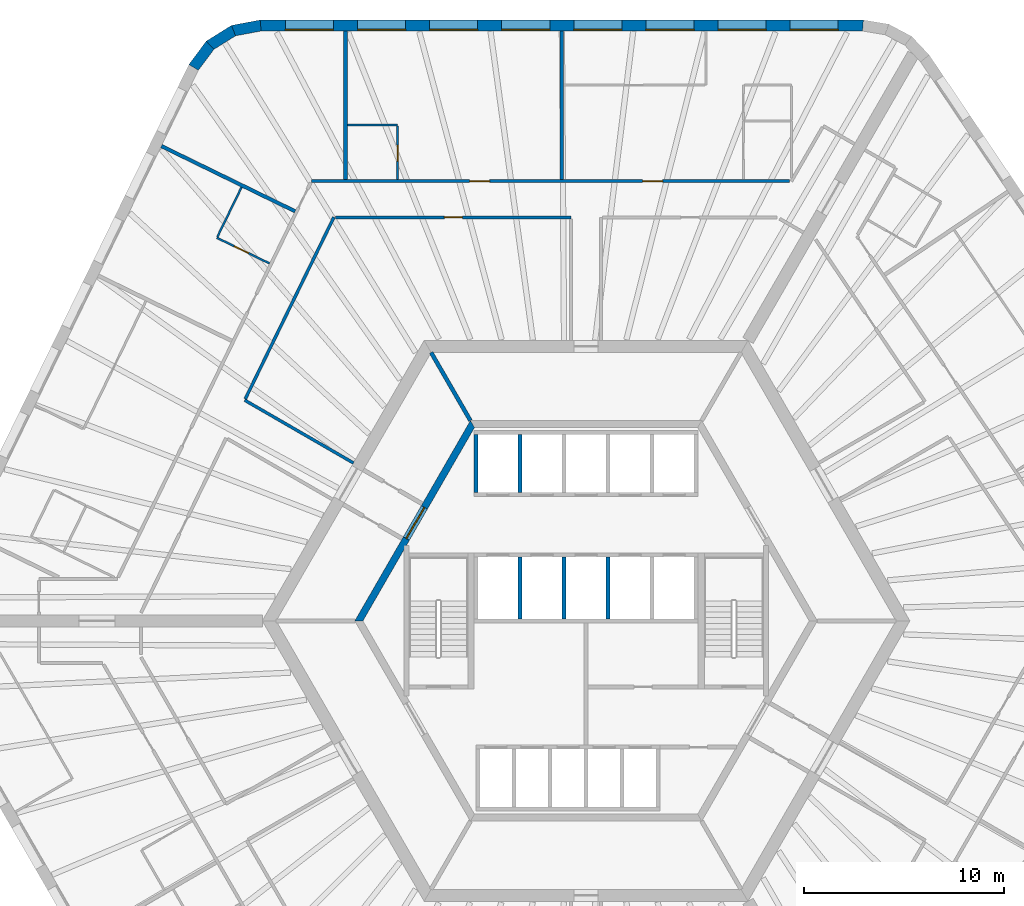
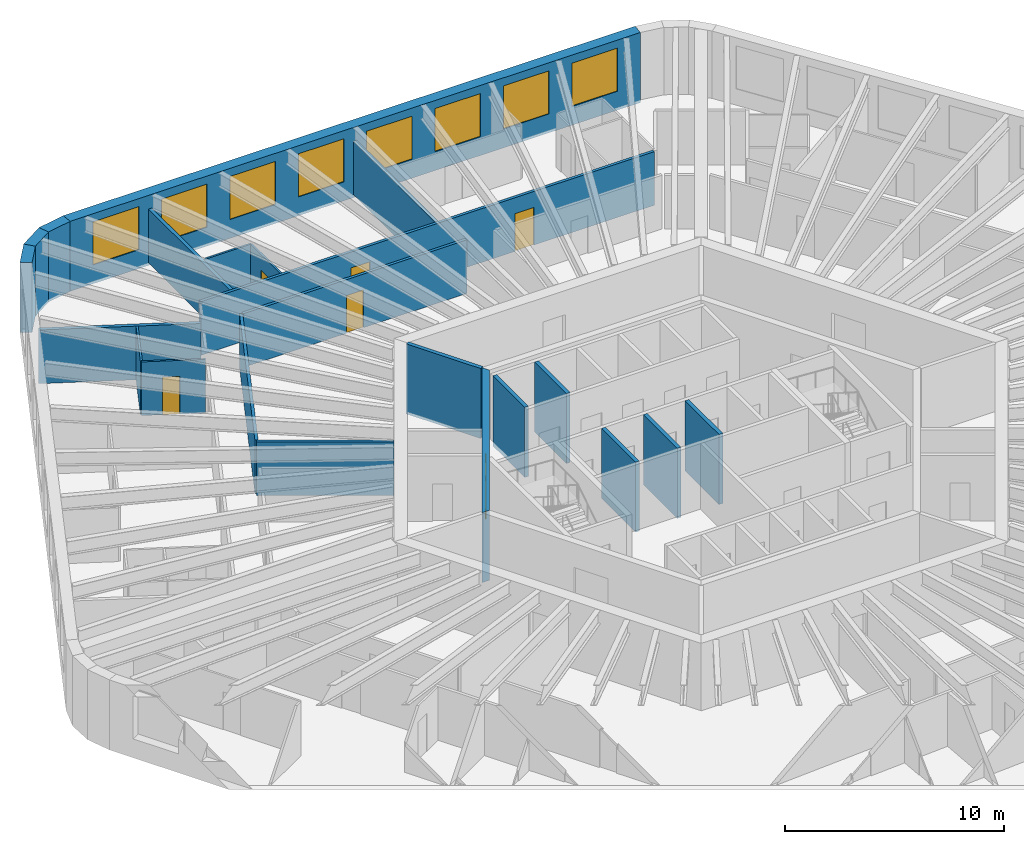
# One storey, part 8 of 12: 22 walls, 8 windows, 6 doors, 14 openings.
"""IFC4 building model written with IfcOpenShell, lengths in metres."""

from ifc_helpers import new_model, si_unit, direction, frame, frame_2d, origin, place, context, subcontext, project, spatial, polyline, rectangle, outline, extrude, material, layer, layer_set, type_object, element, fill, save


model = new_model("IFC4")

# Units and contexts
model_context = context("Model", 3, precision=1e-05, world=origin(), true_north=direction((0.0, 1.0)))
body_context = subcontext(model_context, "Body", "Model", "MODEL_VIEW")
ifc_project = project(units=[si_unit("LENGTHUNIT", "METRE"), si_unit("AREAUNIT", "SQUARE_METRE"), si_unit("VOLUMEUNIT", "CUBIC_METRE"), si_unit("PLANEANGLEUNIT", "RADIAN"), si_unit("MASSUNIT", "GRAM", prefix="KILO")], contexts=[model_context])

# Site, building, storey
site_placement = place(None, origin())
site = spatial("IfcSite", under=ifc_project, at=site_placement, CompositionType="ELEMENT")
building_placement = place(site_placement, origin())
building = spatial("IfcBuilding", under=site, at=building_placement, Name="Tarnside Tower", CompositionType="ELEMENT")
storey_placement = place(building_placement, frame((0.0, 0.0, 72.60009765625)))
storey = spatial("IfcBuildingStorey", under=building, at=storey_placement, Name="L15", CompositionType="ELEMENT", Elevation=72.60009765625)

# Wall
ifc_material_1 = material(Name="Gypsum board partition on steel studs", Category="steel")
ifc_layer_1 = layer(ifc_material_1, 0.10009765625)
ifc_layer_set_1 = layer_set([ifc_layer_1], Name="Bathroom wall 100")
wall_type_1 = type_object("IfcWallType", Name="Bathroom wall 100", PredefinedType="PARTITIONING", material=ifc_layer_set_1)
wall_1_placement = place(storey_placement, frame((-11.921142578125, 24.75, 0.0), z_axis=(0.0, 0.0, 1.0), x_axis=(1.0, 0.0, 0.0)))
element("IfcWall", 1, at=wall_1_placement, inside=storey, type_object=wall_type_1, Name="Bathroom wall 04086", PredefinedType="PARTITIONING", context=body_context, shape_type="SweptSolid", body=[
    extrude(rectangle(XDim=2.510009765625, YDim=0.10009765625, at=frame_2d((1.2548828125, 0.0))), origin(), (0.0, 0.0, 1.0), 2.98779296875),
])

# Wall, opening, door
wall_2_placement = place(storey_placement, frame((-9.4111328125, 24.699951171875, 0.0), z_axis=(0.0, 0.0, 1.0), x_axis=(0.0, -1.0, 0.0)))
wall_2 = element("IfcWall", 2, at=wall_2_placement, inside=storey, type_object=wall_type_1, Name="Bathroom wall 04087", PredefinedType="PARTITIONING", context=body_context, shape_type="SweptSolid", body=[
    extrude(rectangle(XDim=2.675048828125, YDim=0.10009765625, at=frame_2d((1.33740234375, 0.0))), origin(), (0.0, 0.0, 1.0), 2.98779296875),
])
opening_1_placement = place(wall_2_placement, frame((0.949951171875, 0.0, 0.0)))
opening_1 = element("IfcOpeningElement", 3, at=opening_1_placement, cuts=wall_2, Name="Opening D-B1", PredefinedType="OPENING", context=body_context, shape_type="SweptSolid", body=[
    extrude(rectangle(XDim=0.800048828125, YDim=2.10009765625, at=frame_2d((0.39990234375, 1.050048828125))), frame((0.0, 0.06005859375, 0.0), z_axis=(0.0, -1.0, 0.0), x_axis=(1.0, 0.0, 0.0)), (0.0, 0.0, 1.0), 0.1201171875),
])
ifc_material_2 = material(Name="Timber door leaf", Category="wood")
door_type_1 = type_object("IfcDoorType", Name="Bathroom door 800", OperationType="NOTDEFINED", PredefinedType="DOOR", material=ifc_material_2)
door_1_placement = place(opening_1_placement, origin())
door_1 = element("IfcDoor", 4, at=door_1_placement, inside=storey, type_object=door_type_1, Name="Bathroom door 04006", OperationType="SINGLE_SWING_LEFT", OverallHeight=2.10009765625, OverallWidth=0.800048828125, PredefinedType="DOOR", context=body_context, shape_type="SweptSolid", body=[
    extrude(rectangle(XDim=0.800048828125, YDim=2.10009765625, at=frame_2d((0.39990234375, 1.050048828125))), frame((0.0, 0.02490234375, 0.0), z_axis=(0.0, -1.0, 0.0), x_axis=(1.0, 0.0, 0.0)), (0.0, 0.0, 1.0), 0.050048828125),
])
fill(opening_1, door_1)

wall_3_placement = place(storey_placement, frame((-15.802001953125, 17.84423828125, 0.0), z_axis=(0.0, 0.0, 1.0), x_axis=(-0.898790906006, 0.438377585285, 0.0)))
wall_3 = element("IfcWall", 5, at=wall_3_placement, inside=storey, type_object=wall_type_1, Name="Bathroom wall 04092", PredefinedType="PARTITIONING", context=body_context, shape_type="SweptSolid", body=[
    extrude(rectangle(XDim=2.925048828125, YDim=0.10009765625, at=frame_2d((1.46240234375, 0.0))), origin(), (0.0, 0.0, 1.0), 2.98779296875),
])
opening_2_placement = place(wall_3_placement, frame((1.175048828125, 0.0, 0.0)))
opening_2 = element("IfcOpeningElement", 6, at=opening_2_placement, cuts=wall_3, Name="Opening D-B1", PredefinedType="OPENING", context=body_context, shape_type="SweptSolid", body=[
    extrude(rectangle(XDim=0.800048828125, YDim=2.10009765625, at=frame_2d((0.39990234375, 1.050048828125))), frame((0.0, 0.06005859375, 0.0), z_axis=(0.0, -1.0, 0.0), x_axis=(1.0, 0.0, 0.0)), (0.0, 0.0, 1.0), 0.1201171875),
])
door_2_placement = place(opening_2_placement, origin())
door_2 = element("IfcDoor", 7, at=door_2_placement, inside=storey, type_object=door_type_1, Name="Bathroom door 04009", OperationType="SINGLE_SWING_LEFT", OverallHeight=2.10009765625, OverallWidth=0.800048828125, PredefinedType="DOOR", context=body_context, shape_type="SweptSolid", body=[
    extrude(rectangle(XDim=0.800048828125, YDim=2.10009765625, at=frame_2d((0.39990234375, 1.050048828125))), frame((0.0, 0.02490234375, 0.0), z_axis=(0.0, -1.0, 0.0), x_axis=(1.0, 0.0, 0.0)), (0.0, 0.0, 1.0), 0.050048828125),
])
fill(opening_2, door_2)

# Wall
wall_4_placement = place(storey_placement, frame((-18.408935546875, 19.17138671875, 0.0), z_axis=(0.0, 0.0, 1.0), x_axis=(0.438416660488, 0.898771846359, 0.0)))
element("IfcWall", 8, at=wall_4_placement, inside=storey, type_object=wall_type_1, Name="Bathroom wall 04093", PredefinedType="PARTITIONING", context=body_context, shape_type="SweptSolid", body=[
    extrude(rectangle(XDim=2.759765625, YDim=0.10009765625, at=frame_2d((1.3798828125, 0.0))), origin(), (0.0, 0.0, 1.0), 2.98779296875),
])

# Wall, opening, door
ifc_material_3 = material(Name="Concrete C50/60", Category="concrete")
ifc_layer_2 = layer(ifc_material_3, 0.35009765625)
ifc_layer_set_2 = layer_set([ifc_layer_2], Name="Core block wall 350 C50/60")
wall_type_2 = type_object("IfcWallType", Name="Core block wall 350 C50/60", PredefinedType="SHEAR", material=ifc_layer_set_2)
wall_5_placement = place(storey_placement, frame((-5.672607421875, 9.824951171875, -0.150146484375), z_axis=(0.0, 0.0, 1.0), x_axis=(-0.499995046907, -0.866028263435, 0.0)))
wall_5 = element("IfcWall", 9, at=wall_5_placement, inside=storey, type_object=wall_type_2, Name="L15 core block wall face 2", PredefinedType="SHEAR", context=body_context, shape_type="SweptSolid", body=[
    extrude(outline(polyline([(-0.10107421875, -0.175048828125), (11.44580078125, -0.175048828125), (11.24365234375, 0.175048828125), (0.10107421875, 0.175048828125), (-0.10107421875, -0.175048828125)])), origin(), (0.0, 0.0, 1.0), 3.900146484375),
])
opening_3_placement = place(wall_5_placement, frame((4.80126953125, 0.0, 0.14990234375)))
opening_3 = element("IfcOpeningElement", 10, at=opening_3_placement, cuts=wall_5, Name="Opening CD-LOB", PredefinedType="OPENING", context=body_context, shape_type="SweptSolid", body=[
    extrude(rectangle(XDim=1.800048828125, YDim=2.39990234375, at=frame_2d((0.89990234375, 1.199951171875))), frame((0.0, 0.18505859375, 0.0), z_axis=(0.0, -1.0, 0.0), x_axis=(1.0, 0.0, 0.0)), (0.0, 0.0, 1.0), 0.3701171875),
])
ifc_material_4 = material(Name="Steel fire door", Category="steel")
door_type_2 = type_object("IfcDoorType", Name="Lobby double door FD30S 1800x2400", OperationType="NOTDEFINED", PredefinedType="DOOR", material=ifc_material_4)
door_3_placement = place(opening_3_placement, origin())
door_3 = element("IfcDoor", 11, at=door_3_placement, inside=storey, type_object=door_type_2, Name="L15 lobby block door P1", OperationType="DOUBLE_DOOR_SINGLE_SWING", OverallHeight=2.39990234375, OverallWidth=1.800048828125, PredefinedType="DOOR", context=body_context, shape_type="SweptSolid", body=[
    extrude(rectangle(XDim=1.800048828125, YDim=2.39990234375, at=frame_2d((0.89990234375, 1.199951171875))), frame((0.0, 0.02490234375, 0.0), z_axis=(0.0, -1.0, 0.0), x_axis=(1.0, 0.0, 0.0)), (0.0, 0.0, 1.0), 0.050048828125),
])
fill(opening_3, door_3)

# Wall, openings, doors
ifc_layer_3 = layer(ifc_material_1, 0.14990234375)
ifc_layer_set_3 = layer_set([ifc_layer_3], Name="Corridor wall 150 EI 60")
wall_type_3 = type_object("IfcWallType", Name="Corridor wall 150 EI 60", PredefinedType="PARTITIONING", material=ifc_layer_set_3)
wall_6_placement = place(storey_placement, frame((10.161376953125, 21.949951171875, 0.0), z_axis=(0.0, 0.0, 1.0), x_axis=(-1.0, 0.0, 0.0)))
wall_6 = element("IfcWall", 12, at=wall_6_placement, inside=storey, type_object=wall_type_3, Name="Corridor wall 04001", PredefinedType="PARTITIONING", context=body_context, shape_type="SweptSolid", body=[
    extrude(rectangle(XDim=23.877197265625, YDim=0.14990234375, at=frame_2d((11.9384765625, 0.0))), origin(), (0.0, 0.0, 1.0), 2.98779296875),
])
opening_4_placement = place(wall_6_placement, frame((6.343017578125, 0.0, 0.0)))
opening_4 = element("IfcOpeningElement", 13, at=opening_4_placement, cuts=wall_6, Name="Opening D-E1", PredefinedType="OPENING", context=body_context, shape_type="SweptSolid", body=[
    extrude(rectangle(XDim=1.0, YDim=2.10009765625, at=frame_2d((0.5, 1.050048828125))), frame((0.0, 0.0849609375, 0.0), z_axis=(0.0, -1.0, 0.0), x_axis=(1.0, 0.0, 0.0)), (0.0, 0.0, 1.0), 0.169921875),
])
opening_5_placement = place(wall_6_placement, frame((14.972412109375, 0.0, 0.0)))
opening_5 = element("IfcOpeningElement", 14, at=opening_5_placement, cuts=wall_6, Name="Opening D-E1", PredefinedType="OPENING", context=body_context, shape_type="SweptSolid", body=[
    extrude(rectangle(XDim=1.0, YDim=2.10009765625, at=frame_2d((0.5, 1.050048828125))), frame((0.0, 0.0849609375, 0.0), z_axis=(0.0, -1.0, 0.0), x_axis=(1.0, 0.0, 0.0)), (0.0, 0.0, 1.0), 0.169921875),
])
door_type_3 = type_object("IfcDoorType", Name="Unit entrance door 1000 FD30S", OperationType="NOTDEFINED", PredefinedType="DOOR", material=ifc_material_2)
door_4_placement = place(opening_4_placement, origin())
door_4 = element("IfcDoor", 15, at=door_4_placement, inside=storey, type_object=door_type_3, Name="Unit door 04001", OperationType="SINGLE_SWING_LEFT", OverallHeight=2.10009765625, OverallWidth=1.0, PredefinedType="DOOR", context=body_context, shape_type="SweptSolid", body=[
    extrude(rectangle(XDim=1.0, YDim=2.10009765625, at=frame_2d((0.5, 1.050048828125))), frame((0.0, 0.02490234375, 0.0), z_axis=(0.0, -1.0, 0.0), x_axis=(1.0, 0.0, 0.0)), (0.0, 0.0, 1.0), 0.050048828125),
])
fill(opening_4, door_4)
door_5_placement = place(opening_5_placement, origin())
door_5 = element("IfcDoor", 16, at=door_5_placement, inside=storey, type_object=door_type_3, Name="Unit door 04005", OperationType="SINGLE_SWING_RIGHT", OverallHeight=2.10009765625, OverallWidth=1.0, PredefinedType="DOOR", context=body_context, shape_type="SweptSolid", body=[
    extrude(rectangle(XDim=1.0, YDim=2.10009765625, at=frame_2d((0.5, 1.050048828125))), frame((0.0, 0.02490234375, 0.0), z_axis=(0.0, -1.0, 0.0), x_axis=(1.0, 0.0, 0.0)), (0.0, 0.0, 1.0), 0.050048828125),
])
fill(opening_5, door_5)

# Walls
wall_7_placement = place(storey_placement, frame((-11.61376953125, 7.88427734375, 0.0), z_axis=(0.0, 0.0, 1.0), x_axis=(-0.866025438137, 0.4999999405, 0.0)))
element("IfcWall", 17, at=wall_7_placement, inside=storey, type_object=wall_type_3, Name="Corridor wall 04016", PredefinedType="PARTITIONING", context=body_context, shape_type="SweptSolid", body=[
    extrude(rectangle(XDim=6.2705078125, YDim=0.14990234375, at=frame_2d((3.13525390625, 0.0))), origin(), (0.0, 0.0, 1.0), 2.98779296875),
])
wall_8_placement = place(storey_placement, frame((-17.01123046875, 11.087158203125, 0.0), z_axis=(0.0, 0.0, 1.0), x_axis=(0.43836877185, 0.898795204631, 0.0)))
element("IfcWall", 18, at=wall_8_placement, inside=storey, type_object=wall_type_3, Name="Corridor wall 04017", PredefinedType="PARTITIONING", context=body_context, shape_type="SweptSolid", body=[
    extrude(rectangle(XDim=10.083251953125, YDim=0.14990234375, at=frame_2d((5.04150390625, 0.0))), origin(), (0.0, 0.0, 1.0), 2.98779296875),
])

# Wall, opening, door
wall_9_placement = place(storey_placement, frame((-12.507568359375, 20.14990234375, 0.0), z_axis=(0.0, 0.0, 1.0), x_axis=(1.0, 0.0, 0.0)))
wall_9 = element("IfcWall", 19, at=wall_9_placement, inside=storey, type_object=wall_type_3, Name="Corridor wall 04018", PredefinedType="PARTITIONING", context=body_context, shape_type="SweptSolid", body=[
    extrude(rectangle(XDim=11.757568359375, YDim=0.14990234375, at=frame_2d((5.87890625, 0.0))), origin(), (0.0, 0.0, 1.0), 2.98779296875),
])
opening_6_placement = place(wall_9_placement, frame((5.428955078125, 0.0, 0.0)))
opening_6 = element("IfcOpeningElement", 20, at=opening_6_placement, cuts=wall_9, Name="Opening D-S1", PredefinedType="OPENING", context=body_context, shape_type="SweptSolid", body=[
    extrude(rectangle(XDim=0.89990234375, YDim=2.10009765625, at=frame_2d((0.449951171875, 1.050048828125))), frame((0.0, 0.0849609375, 0.0), z_axis=(0.0, -1.0, 0.0), x_axis=(1.0, 0.0, 0.0)), (0.0, 0.0, 1.0), 0.169921875),
])
door_type_4 = type_object("IfcDoorType", Name="Service room door 900 FD30S", OperationType="NOTDEFINED", PredefinedType="DOOR", material=ifc_material_2)
door_6_placement = place(opening_6_placement, origin())
door_6 = element("IfcDoor", 21, at=door_6_placement, inside=storey, type_object=door_type_4, Name="Service door 04041", OperationType="SINGLE_SWING_RIGHT", OverallHeight=2.10009765625, OverallWidth=0.89990234375, PredefinedType="DOOR", context=body_context, shape_type="SweptSolid", body=[
    extrude(rectangle(XDim=0.89990234375, YDim=2.10009765625, at=frame_2d((0.449951171875, 1.050048828125))), frame((0.0, 0.02490234375, 0.0), z_axis=(0.0, -1.0, 0.0), x_axis=(1.0, 0.0, 0.0)), (0.0, 0.0, 1.0), 0.050048828125),
])
fill(opening_6, door_6)

# Walls
ifc_layer_4 = layer(ifc_material_1, 0.179931640625)
ifc_layer_set_4 = layer_set([ifc_layer_4], Name="Demising wall 180 EI 60")
wall_type_4 = type_object("IfcWallType", Name="Demising wall 180 EI 60", PredefinedType="PARTITIONING", material=ifc_layer_set_4)
for number, where, z_axis, x_axis, name in (
    (22, (-1.2109375, 29.449951171875, 0.0), (0.0, 0.0, 1.0), (0.0, -1.0, 0.0), "Demising wall 04083"),
    (23, (-12.010986328125, 29.449951171875, 0.0), (0.0, 0.0, 1.0), (0.0, -1.0, 0.0), "Demising wall 04088"),
    (24, (-21.2041015625, 23.70556640625, 0.0), (0.0, 0.0, 1.0), (0.898796252669, -0.438366623032, 0.0), "Demising wall 04090"),
):
    element("IfcWall", number, at=place(storey_placement, frame(where, z_axis=z_axis, x_axis=x_axis)), inside=storey, type_object=wall_type_4, Name=name, PredefinedType="PARTITIONING", context=body_context, shape_type="SweptSolid", body=[
        extrude(rectangle(XDim=7.425048828125, YDim=0.179931640625, at=frame_2d((3.71240234375, 0.0))), origin(), (0.0, 0.0, 1.0), 2.98779296875),
    ])
ifc_material_5 = material(Name="Concrete C40/50", Category="concrete")
ifc_layer_5 = layer(ifc_material_5, 0.199951171875)
ifc_layer_set_5 = layer_set([ifc_layer_5], Name="Lift shaft wall 200 C40/50")
wall_type_5 = type_object("IfcWallType", Name="Lift shaft wall 200 C40/50", PredefinedType="SHEAR", material=ifc_layer_set_5)
for number, where, z_axis, x_axis, name in (
    (25, (-5.5, 6.39990234375, -0.25), (0.0, 0.0, 1.0), (0.0, 1.0, 0.0), "L15 lift shaft partition R11"),
    (26, (-3.300048828125, 6.39990234375, -0.25), (0.0, 0.0, 1.0), (0.0, 1.0, 0.0), "L15 lift shaft partition R12"),
):
    element("IfcWall", number, at=place(storey_placement, frame(where, z_axis=z_axis, x_axis=x_axis)), inside=storey, type_object=wall_type_5, Name=name, PredefinedType="SHEAR", context=body_context, shape_type="SweptSolid", body=[
        extrude(rectangle(XDim=2.900146484375, YDim=0.199951171875, at=frame_2d((1.4501953125, 0.0))), origin(), (0.0, 0.0, 1.0), 3.89990234375),
    ])
for number, where, z_axis, x_axis, name in (
    (27, (-3.300048828125, 0.10009765625, -0.25), (0.0, 0.0, 1.0), (0.0, 1.0, 0.0), "L15 lift shaft partition R22"),
    (28, (-1.10009765625, 0.10009765625, -0.25), (0.0, 0.0, 1.0), (0.0, 1.0, 0.0), "L15 lift shaft partition R23"),
    (29, (1.10009765625, 0.10009765625, -0.25), (0.0, 0.0, 1.0), (0.0, 1.0, 0.0), "L15 lift shaft partition R24"),
):
    element("IfcWall", number, at=place(storey_placement, frame(where, z_axis=z_axis, x_axis=x_axis)), inside=storey, type_object=wall_type_5, Name=name, PredefinedType="SHEAR", context=body_context, shape_type="SweptSolid", body=[
        extrude(rectangle(XDim=3.099853515625, YDim=0.199951171875, at=frame_2d((1.5498046875, 0.0))), origin(), (0.0, 0.0, 1.0), 3.89990234375),
    ])
wall_10_placement = place(storey_placement, frame((-5.7734375, 10.0, -0.150146484375), z_axis=(0.0, 0.0, 1.0), x_axis=(-0.500038251005, 0.86600331843, 0.0)))
element("IfcWall", 30, at=wall_10_placement, inside=storey, type_object=wall_type_5, Name="L15 core partition AR120", PredefinedType="SHEAR", context=body_context, shape_type="SweptSolid", body=[
    extrude(rectangle(XDim=3.926025390625, YDim=0.199951171875, at=frame_2d((1.962890625, 0.0))), origin(), (0.0, 0.0, 1.0), 3.900146484375),
])

# Wall, openings, windows
ifc_material_6 = material(Name="Facing brick", Category="masonry")
ifc_layer_6 = layer(ifc_material_6, 0.10205078125)
ifc_material_7 = material(Name="Concrete C60/75 precast", Category="concrete")
ifc_layer_7 = layer(ifc_material_7, 0.347900390625)
ifc_material_8 = material(Name="Mineral wool insulation")
ifc_layer_8 = layer(ifc_material_8, 0.10009765625)
ifc_layer_set_6 = layer_set([ifc_layer_6, ifc_layer_7, ifc_layer_8], Name="Tube wall 550 brick faced")
wall_type_6 = type_object("IfcWallType", Name="Tube wall 550 brick faced", PredefinedType="SOLIDWALL", material=ifc_layer_set_6)
wall_11_placement = place(storey_placement, frame((13.824462890625, 29.72509765625, -0.150146484375), z_axis=(0.0, 0.0, 1.0), x_axis=(-1.0, 0.0, 0.0)))
wall_11 = element("IfcWall", 31, at=wall_11_placement, inside=storey, type_object=wall_type_6, Name="Tube wall L15 F1 flush 00", PredefinedType="SOLIDWALL", context=body_context, shape_type="SweptSolid", body=[
    extrude(outline(polyline([(-0.0224609375, -0.27490234375), (30.0966796875, -0.27490234375), (30.04541015625, 0.27490234375), (0.0224609375, 0.27490234375), (-0.0224609375, -0.27490234375)])), origin(), (0.0, 0.0, 1.0), 3.900146484375),
])
opening_7_placement = place(wall_11_placement, frame((1.235595703125, 0.0, 1.050048828125)))
opening_7 = element("IfcOpeningElement", 32, at=opening_7_placement, cuts=wall_11, Name="Opening WH", PredefinedType="OPENING", context=body_context, shape_type="SweptSolid", body=[
    extrude(rectangle(XDim=2.39990234375, YDim=2.39990234375, at=frame_2d((1.199951171875, 1.199951171875))), frame((0.0, 0.28515625, 0.0), z_axis=(0.0, -1.0, 0.0), x_axis=(1.0, 0.0, 0.0)), (0.0, 0.0, 1.0), 0.570068359375),
])
opening_8_placement = place(wall_11_placement, frame((4.83544921875, 0.0, 1.050048828125)))
opening_8 = element("IfcOpeningElement", 33, at=opening_8_placement, cuts=wall_11, Name="Opening WH", PredefinedType="OPENING", context=body_context, shape_type="SweptSolid", body=[
    extrude(rectangle(XDim=2.39990234375, YDim=2.39990234375, at=frame_2d((1.199951171875, 1.199951171875))), frame((0.0, 0.28515625, 0.0), z_axis=(0.0, -1.0, 0.0), x_axis=(1.0, 0.0, 0.0)), (0.0, 0.0, 1.0), 0.570068359375),
])
opening_9_placement = place(wall_11_placement, frame((8.435546875, 0.0, 1.050048828125)))
opening_9 = element("IfcOpeningElement", 34, at=opening_9_placement, cuts=wall_11, Name="Opening WH", PredefinedType="OPENING", context=body_context, shape_type="SweptSolid", body=[
    extrude(rectangle(XDim=2.39990234375, YDim=2.39990234375, at=frame_2d((1.199951171875, 1.199951171875))), frame((0.0, 0.28515625, 0.0), z_axis=(0.0, -1.0, 0.0), x_axis=(1.0, 0.0, 0.0)), (0.0, 0.0, 1.0), 0.570068359375),
])
opening_10_placement = place(wall_11_placement, frame((12.035400390625, 0.0, 1.050048828125)))
opening_10 = element("IfcOpeningElement", 35, at=opening_10_placement, cuts=wall_11, Name="Opening WH", PredefinedType="OPENING", context=body_context, shape_type="SweptSolid", body=[
    extrude(rectangle(XDim=2.39990234375, YDim=2.39990234375, at=frame_2d((1.199951171875, 1.199951171875))), frame((0.0, 0.28515625, 0.0), z_axis=(0.0, -1.0, 0.0), x_axis=(1.0, 0.0, 0.0)), (0.0, 0.0, 1.0), 0.570068359375),
])
opening_11_placement = place(wall_11_placement, frame((15.635498046875, 0.0, 1.050048828125)))
opening_11 = element("IfcOpeningElement", 36, at=opening_11_placement, cuts=wall_11, Name="Opening WH", PredefinedType="OPENING", context=body_context, shape_type="SweptSolid", body=[
    extrude(rectangle(XDim=2.39990234375, YDim=2.39990234375, at=frame_2d((1.199951171875, 1.199951171875))), frame((0.0, 0.28515625, 0.0), z_axis=(0.0, -1.0, 0.0), x_axis=(1.0, 0.0, 0.0)), (0.0, 0.0, 1.0), 0.570068359375),
])
opening_12_placement = place(wall_11_placement, frame((19.235595703125, 0.0, 1.050048828125)))
opening_12 = element("IfcOpeningElement", 37, at=opening_12_placement, cuts=wall_11, Name="Opening WH", PredefinedType="OPENING", context=body_context, shape_type="SweptSolid", body=[
    extrude(rectangle(XDim=2.39990234375, YDim=2.39990234375, at=frame_2d((1.199951171875, 1.199951171875))), frame((0.0, 0.28515625, 0.0), z_axis=(0.0, -1.0, 0.0), x_axis=(1.0, 0.0, 0.0)), (0.0, 0.0, 1.0), 0.570068359375),
])
opening_13_placement = place(wall_11_placement, frame((22.83544921875, 0.0, 1.050048828125)))
opening_13 = element("IfcOpeningElement", 38, at=opening_13_placement, cuts=wall_11, Name="Opening WH", PredefinedType="OPENING", context=body_context, shape_type="SweptSolid", body=[
    extrude(rectangle(XDim=2.39990234375, YDim=2.39990234375, at=frame_2d((1.199951171875, 1.199951171875))), frame((0.0, 0.28515625, 0.0), z_axis=(0.0, -1.0, 0.0), x_axis=(1.0, 0.0, 0.0)), (0.0, 0.0, 1.0), 0.570068359375),
])
opening_14_placement = place(wall_11_placement, frame((26.435546875, 0.0, 1.050048828125)))
opening_14 = element("IfcOpeningElement", 39, at=opening_14_placement, cuts=wall_11, Name="Opening WH", PredefinedType="OPENING", context=body_context, shape_type="SweptSolid", body=[
    extrude(rectangle(XDim=2.39990234375, YDim=2.39990234375, at=frame_2d((1.199951171875, 1.199951171875))), frame((0.0, 0.28515625, 0.0), z_axis=(0.0, -1.0, 0.0), x_axis=(1.0, 0.0, 0.0)), (0.0, 0.0, 1.0), 0.570068359375),
])
ifc_material_9 = material(Name="Aluminium-framed double glazing", Category="aluminium")
window_type = type_object("IfcWindowType", Name="Hotel window 2400 x 2400", PartitioningType="DOUBLE_PANEL_VERTICAL", PredefinedType="WINDOW", material=ifc_material_9)
window_1_placement = place(opening_7_placement, frame((0.0, 0.205078125, 0.0)))
window_1 = element("IfcWindow", 40, at=window_1_placement, inside=storey, type_object=window_type, Name="E.WN.L15.F1.00", OverallHeight=2.39990234375, OverallWidth=2.39990234375, PartitioningType="DOUBLE_PANEL_VERTICAL", PredefinedType="WINDOW", context=body_context, shape_type="SweptSolid", body=[
    extrude(rectangle(XDim=2.39990234375, YDim=2.39990234375, at=frame_2d((1.199951171875, 1.199951171875))), frame((0.0, 0.030029296875, 0.0), z_axis=(0.0, -1.0, 0.0), x_axis=(1.0, 0.0, 0.0)), (0.0, 0.0, 1.0), 0.06005859375),
])
fill(opening_7, window_1)
window_2_placement = place(opening_8_placement, frame((0.0, 0.205078125, 0.0)))
window_2 = element("IfcWindow", 41, at=window_2_placement, inside=storey, type_object=window_type, Name="E.WN.L15.F1.01", OverallHeight=2.39990234375, OverallWidth=2.39990234375, PartitioningType="DOUBLE_PANEL_VERTICAL", PredefinedType="WINDOW", context=body_context, shape_type="SweptSolid", body=[
    extrude(rectangle(XDim=2.39990234375, YDim=2.39990234375, at=frame_2d((1.199951171875, 1.199951171875))), frame((0.0, 0.030029296875, 0.0), z_axis=(0.0, -1.0, 0.0), x_axis=(1.0, 0.0, 0.0)), (0.0, 0.0, 1.0), 0.06005859375),
])
fill(opening_8, window_2)
window_3_placement = place(opening_9_placement, frame((0.0, 0.205078125, 0.0)))
window_3 = element("IfcWindow", 42, at=window_3_placement, inside=storey, type_object=window_type, Name="E.WN.L15.F1.02", OverallHeight=2.39990234375, OverallWidth=2.39990234375, PartitioningType="DOUBLE_PANEL_VERTICAL", PredefinedType="WINDOW", context=body_context, shape_type="SweptSolid", body=[
    extrude(rectangle(XDim=2.39990234375, YDim=2.39990234375, at=frame_2d((1.199951171875, 1.199951171875))), frame((0.0, 0.030029296875, 0.0), z_axis=(0.0, -1.0, 0.0), x_axis=(1.0, 0.0, 0.0)), (0.0, 0.0, 1.0), 0.06005859375),
])
fill(opening_9, window_3)
window_4_placement = place(opening_10_placement, frame((0.0, 0.205078125, 0.0)))
window_4 = element("IfcWindow", 43, at=window_4_placement, inside=storey, type_object=window_type, Name="E.WN.L15.F1.03", OverallHeight=2.39990234375, OverallWidth=2.39990234375, PartitioningType="DOUBLE_PANEL_VERTICAL", PredefinedType="WINDOW", context=body_context, shape_type="SweptSolid", body=[
    extrude(rectangle(XDim=2.39990234375, YDim=2.39990234375, at=frame_2d((1.199951171875, 1.199951171875))), frame((0.0, 0.030029296875, 0.0), z_axis=(0.0, -1.0, 0.0), x_axis=(1.0, 0.0, 0.0)), (0.0, 0.0, 1.0), 0.06005859375),
])
fill(opening_10, window_4)
window_5_placement = place(opening_11_placement, frame((0.0, 0.205078125, 0.0)))
window_5 = element("IfcWindow", 44, at=window_5_placement, inside=storey, type_object=window_type, Name="E.WN.L15.F1.04", OverallHeight=2.39990234375, OverallWidth=2.39990234375, PartitioningType="DOUBLE_PANEL_VERTICAL", PredefinedType="WINDOW", context=body_context, shape_type="SweptSolid", body=[
    extrude(rectangle(XDim=2.39990234375, YDim=2.39990234375, at=frame_2d((1.199951171875, 1.199951171875))), frame((0.0, 0.030029296875, 0.0), z_axis=(0.0, -1.0, 0.0), x_axis=(1.0, 0.0, 0.0)), (0.0, 0.0, 1.0), 0.06005859375),
])
fill(opening_11, window_5)
window_6_placement = place(opening_12_placement, frame((0.0, 0.205078125, 0.0)))
window_6 = element("IfcWindow", 45, at=window_6_placement, inside=storey, type_object=window_type, Name="E.WN.L15.F1.05", OverallHeight=2.39990234375, OverallWidth=2.39990234375, PartitioningType="DOUBLE_PANEL_VERTICAL", PredefinedType="WINDOW", context=body_context, shape_type="SweptSolid", body=[
    extrude(rectangle(XDim=2.39990234375, YDim=2.39990234375, at=frame_2d((1.199951171875, 1.199951171875))), frame((0.0, 0.030029296875, 0.0), z_axis=(0.0, -1.0, 0.0), x_axis=(1.0, 0.0, 0.0)), (0.0, 0.0, 1.0), 0.06005859375),
])
fill(opening_12, window_6)
window_7_placement = place(opening_13_placement, frame((0.0, 0.205078125, 0.0)))
window_7 = element("IfcWindow", 46, at=window_7_placement, inside=storey, type_object=window_type, Name="E.WN.L15.F1.06", OverallHeight=2.39990234375, OverallWidth=2.39990234375, PartitioningType="DOUBLE_PANEL_VERTICAL", PredefinedType="WINDOW", context=body_context, shape_type="SweptSolid", body=[
    extrude(rectangle(XDim=2.39990234375, YDim=2.39990234375, at=frame_2d((1.199951171875, 1.199951171875))), frame((0.0, 0.030029296875, 0.0), z_axis=(0.0, -1.0, 0.0), x_axis=(1.0, 0.0, 0.0)), (0.0, 0.0, 1.0), 0.06005859375),
])
fill(opening_13, window_7)
window_8_placement = place(opening_14_placement, frame((0.0, 0.205078125, 0.0)))
window_8 = element("IfcWindow", 47, at=window_8_placement, inside=storey, type_object=window_type, Name="E.WN.L15.F1.07", OverallHeight=2.39990234375, OverallWidth=2.39990234375, PartitioningType="DOUBLE_PANEL_VERTICAL", PredefinedType="WINDOW", context=body_context, shape_type="SweptSolid", body=[
    extrude(rectangle(XDim=2.39990234375, YDim=2.39990234375, at=frame_2d((1.199951171875, 1.199951171875))), frame((0.0, 0.030029296875, 0.0), z_axis=(0.0, -1.0, 0.0), x_axis=(1.0, 0.0, 0.0)), (0.0, 0.0, 1.0), 0.06005859375),
])
fill(opening_14, window_8)

# Walls
wall_12_placement = place(storey_placement, frame((-16.24658203125, 29.72509765625, -0.150146484375), z_axis=(0.0, 0.0, 1.0), x_axis=(-0.982705443133, -0.185175624845, 0.0)))
element("IfcWall", 48, at=wall_12_placement, inside=storey, type_object=wall_type_6, Name="Tube wall L15 F1 chord 01", PredefinedType="SOLIDWALL", context=body_context, shape_type="SweptSolid", body=[
    extrude(outline(polyline([(-0.025634765625, -0.27490234375), (1.430908203125, -0.27490234375), (1.327392578125, 0.27490234375), (0.025634765625, 0.27490234375), (-0.025634765625, -0.27490234375)])), origin(), (0.0, 0.0, 1.0), 3.900146484375),
])
wall_13_placement = place(storey_placement, frame((-17.601806640625, 29.4697265625, -0.150146484375), z_axis=(0.0, 0.0, 1.0), x_axis=(-0.848057977594, -0.5299034503, 0.0)))
element("IfcWall", 49, at=wall_13_placement, inside=storey, type_object=wall_type_6, Name="Tube wall L15 F1 chord 02", PredefinedType="SOLIDWALL", context=body_context, shape_type="SweptSolid", body=[
    extrude(outline(polyline([(-0.0517578125, -0.27490234375), (1.4306640625, -0.27490234375), (1.3271484375, 0.27490234375), (0.0517578125, 0.27490234375), (-0.0517578125, -0.27490234375)])), origin(), (0.0, 0.0, 1.0), 3.900146484375),
])
wall_14_placement = place(storey_placement, frame((-18.771240234375, 28.739013671875, -0.150146484375), z_axis=(0.0, 0.0, 1.0), x_axis=(-0.597135295884, -0.802140535324, 0.0)))
element("IfcWall", 50, at=wall_14_placement, inside=storey, type_object=wall_type_6, Name="Tube wall L15 F1 chord 03", PredefinedType="SOLIDWALL", context=body_context, shape_type="SweptSolid", body=[
    extrude(outline(polyline([(-0.0517578125, -0.27490234375), (1.40478515625, -0.27490234375), (1.353515625, 0.27490234375), (0.0517578125, 0.27490234375), (-0.0517578125, -0.27490234375)])), origin(), (0.0, 0.0, 1.0), 3.900146484375),
])

save(model, "model.ifc")
